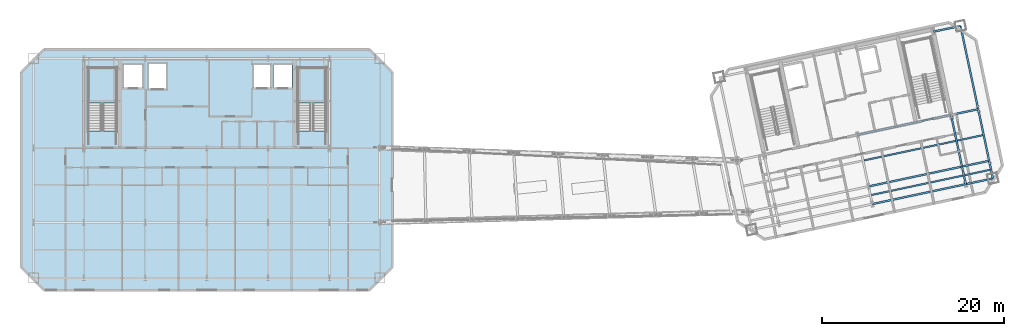
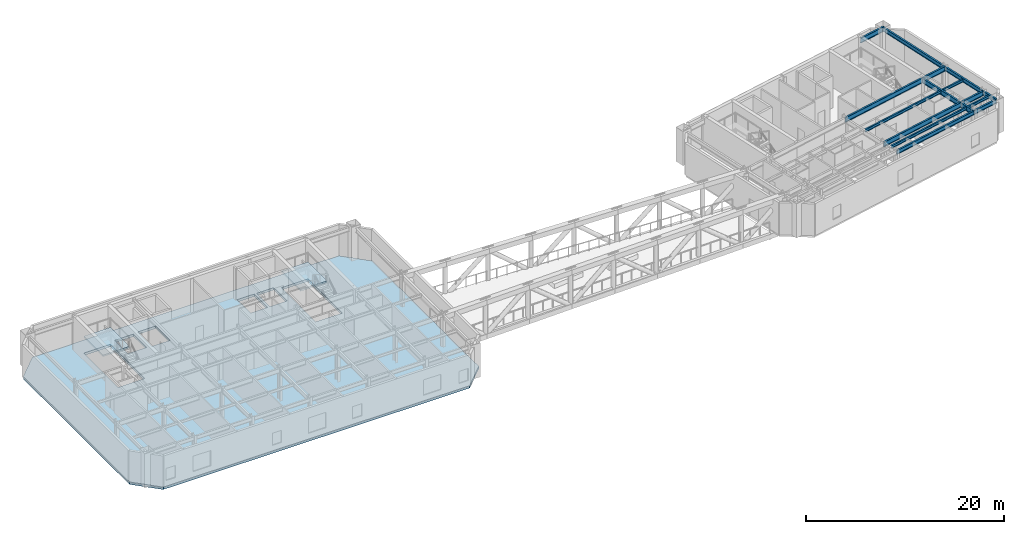
# One storey, part 5 of 14: 16 beams, 3 slabs, 2 elements without a shape of their own.
"""IFC4 building model written with IfcOpenShell, lengths in metres."""

from ifc_helpers import new_model, si_unit, direction, frame, origin, origin_2d, place, context, subcontext, project, spatial, polyline, i_section, outline, extrude, material, layer, layer_set, material_profile, profile_set, type_object, element, aggregate, save


model = new_model("IFC4")

# Units and contexts
model_context = context("Model", 3, precision=1e-05, world=origin(), true_north=direction((0.0, 1.0)))
body_context = subcontext(model_context, "Body", "Model", "MODEL_VIEW")
ifc_project = project(units=[si_unit("LENGTHUNIT", "METRE"), si_unit("AREAUNIT", "SQUARE_METRE"), si_unit("VOLUMEUNIT", "CUBIC_METRE"), si_unit("PLANEANGLEUNIT", "RADIAN"), si_unit("MASSUNIT", "GRAM", prefix="KILO")], contexts=[model_context])

# Site, building, storey
site_placement = place(None, origin())
site = spatial("IfcSite", under=ifc_project, at=site_placement, CompositionType="ELEMENT")
building_placement = place(site_placement, origin())
building = spatial("IfcBuilding", under=site, at=building_placement, Name="Haevon Station Towers", CompositionType="ELEMENT")
storey_placement = place(building_placement, frame((0.0, 0.0, 201.300048828125)))
storey = spatial("IfcBuildingStorey", under=building, at=storey_placement, Name="L55", CompositionType="ELEMENT", Elevation=201.300048828125)

# Beams
ifc_material_1 = material(Name="Steel S355", Category="steel")
ifc_material_profile_1 = material_profile(ifc_material_1, i_section(OverallWidth=0.199951171875, OverallDepth=0.60009765625, WebThickness=0.010986328125, FlangeThickness=0.01708984375, at=origin_2d()), Name="H-600x200x11x17")
ifc_profile_set_1 = profile_set([ifc_material_profile_1], Name="Steel S355")
beam_type_1 = type_object("IfcBeamType", Name="BM-G600", PredefinedType="BEAM", material=ifc_profile_set_1)
beam_1_placement = place(storey_placement, frame((110.228759765625, 33.9521484375, 3.64990234375), z_axis=(0.978146794194, 0.207915485254, 0.0), x_axis=(-0.207915485254, 0.978146794194, 0.0)))
element("IfcBeam", 1, at=beam_1_placement, inside=storey, type_object=beam_type_1, Name="BM-T2U-L55-02-03", PredefinedType="BEAM", context=body_context, shape_type="SweptSolid", body=[
    extrude(i_section(OverallWidth=0.199951171875, OverallDepth=0.60009765625, WebThickness=0.010986328125, FlangeThickness=0.01708984375, at=origin_2d()), origin(), (0.0, 0.0, 1.0), 10.5),
])
beam_2_placement = place(storey_placement, frame((120.499267578125, 36.13525390625, 3.64990234375), z_axis=(0.978138503145, 0.207954487003, 0.0), x_axis=(-0.207954487003, 0.978138503145, 0.0)))
element("IfcBeam", 2, at=beam_2_placement, inside=storey, type_object=beam_type_1, Name="BM-T2U-L55-02-04", PredefinedType="BEAM", context=body_context, shape_type="SweptSolid", body=[
    extrude(i_section(OverallWidth=0.199951171875, OverallDepth=0.60009765625, WebThickness=0.010986328125, FlangeThickness=0.01708984375, at=origin_2d()), origin(), (0.0, 0.0, 1.0), 3.050048828125),
])
beam_3_placement = place(storey_placement, frame((109.02294921875, 39.62548828125, 3.64990234375), z_axis=(0.978146794194, 0.207915485254, 0.0), x_axis=(-0.207915485254, 0.978146794194, 0.0)))
element("IfcBeam", 3, at=beam_3_placement, inside=storey, type_object=beam_type_1, Name="BM-T2U-L55-03-03", PredefinedType="BEAM", context=body_context, shape_type="SweptSolid", body=[
    extrude(i_section(OverallWidth=0.199951171875, OverallDepth=0.60009765625, WebThickness=0.010986328125, FlangeThickness=0.01708984375, at=origin_2d()), origin(), (0.0, 0.0, 1.0), 10.5),
])
for number, where, z_axis, x_axis, name in (
    (4, (119.29345703125, 41.80859375, 3.64990234375), (0.978154782045, 0.207877902534, 0.0), (-0.207877902534, 0.978154782045, 0.0), "BM-T2U-L55-03-04"),
    (5, (117.349365234375, 50.954345703125, 3.64990234375), (0.978154782045, 0.207877902534, 0.0), (-0.207877902534, 0.978154782045, 0.0), "BM-T2U-L55-04-04"),
):
    element("IfcBeam", number, at=place(storey_placement, frame(where, z_axis=z_axis, x_axis=x_axis)), inside=storey, type_object=beam_type_1, Name=name, PredefinedType="BEAM", context=body_context, shape_type="SweptSolid", body=[
        extrude(i_section(OverallWidth=0.199951171875, OverallDepth=0.60009765625, WebThickness=0.010986328125, FlangeThickness=0.01708984375, at=origin_2d()), origin(), (0.0, 0.0, 1.0), 3.050048828125),
    ])
beam_4_placement = place(storey_placement, frame((120.910888671875, 34.198486328125, 3.64990234375), z_axis=(-0.207886774674, 0.978152896492, 0.0), x_axis=(-0.978152896492, -0.207886774674, 0.0)))
element("IfcBeam", 6, at=beam_4_placement, inside=storey, type_object=beam_type_1, Name="BM-T2V-L55-04-01", PredefinedType="BEAM", context=body_context, shape_type="SweptSolid", body=[
    extrude(i_section(OverallWidth=0.199951171875, OverallDepth=0.60009765625, WebThickness=0.010986328125, FlangeThickness=0.01708984375, at=origin_2d()), origin(), (0.0, 0.0, 1.0), 1.97998046875),
])
beam_5_placement = place(storey_placement, frame((120.499267578125, 36.13525390625, 3.64990234375), z_axis=(-0.207896009217, 0.97815093383, 0.0), x_axis=(-0.97815093383, -0.207896009217, 0.0)))
element("IfcBeam", 7, at=beam_5_placement, inside=storey, type_object=beam_type_1, Name="BM-T2V-L55-04-02", PredefinedType="BEAM", context=body_context, shape_type="SweptSolid", body=[
    extrude(i_section(OverallWidth=0.199951171875, OverallDepth=0.60009765625, WebThickness=0.010986328125, FlangeThickness=0.01708984375, at=origin_2d()), origin(), (0.0, 0.0, 1.0), 5.800048828125),
])
ifc_material_profile_2 = material_profile(ifc_material_1, i_section(OverallWidth=0.175048828125, OverallDepth=0.35009765625, WebThickness=0.007080078125, FlangeThickness=0.010986328125, at=origin_2d()), Name="H-350x175x7x11")
ifc_profile_set_2 = profile_set([ifc_material_profile_2], Name="Steel S355")
beam_type_2 = type_object("IfcBeamType", Name="BM-J350", PredefinedType="JOIST", material=ifc_profile_set_2)
beam_6_placement = place(storey_placement, frame((110.542236328125, 33.0068359375, 3.77490234375), z_axis=(0.978150339653, 0.207898804801, 0.0), x_axis=(-0.207898804801, 0.978150339653, 0.0)))
element("IfcBeam", 8, at=beam_6_placement, inside=storey, type_object=beam_type_2, Name="BM-T2J-L55-01-03", PredefinedType="JOIST", context=body_context, shape_type="SweptSolid", body=[
    extrude(i_section(OverallWidth=0.175048828125, OverallDepth=0.35009765625, WebThickness=0.007080078125, FlangeThickness=0.010986328125, at=origin_2d()), origin(), (0.0, 0.0, 1.0), 10.280029296875),
])
beam_7_placement = place(storey_placement, frame((120.812744140625, 35.189697265625, 3.77490234375), z_axis=(0.9781470094, 0.207914472804, 0.0), x_axis=(-0.207914472804, 0.9781470094, 0.0)))
element("IfcBeam", 9, at=beam_7_placement, inside=storey, type_object=beam_type_2, Name="BM-T2J-L55-01-04", PredefinedType="JOIST", context=body_context, shape_type="SweptSolid", body=[
    extrude(i_section(OverallWidth=0.175048828125, OverallDepth=0.35009765625, WebThickness=0.007080078125, FlangeThickness=0.010986328125, at=origin_2d()), origin(), (0.0, 0.0, 1.0), 2.829833984375),
])
beam_8_placement = place(storey_placement, frame((109.7333984375, 36.811767578125, 3.77490234375), z_axis=(0.978150339653, 0.207898804801, 0.0), x_axis=(-0.207898804801, 0.978150339653, 0.0)))
element("IfcBeam", 10, at=beam_8_placement, inside=storey, type_object=beam_type_2, Name="BM-T2J-L55-02-03", PredefinedType="JOIST", context=body_context, shape_type="SweptSolid", body=[
    extrude(i_section(OverallWidth=0.175048828125, OverallDepth=0.35009765625, WebThickness=0.007080078125, FlangeThickness=0.010986328125, at=origin_2d()), origin(), (0.0, 0.0, 1.0), 10.280029296875),
])
beam_9_placement = place(storey_placement, frame((120.00390625, 38.994873046875, 3.77490234375), z_axis=(0.978150738312, 0.207896929124, 0.0), x_axis=(-0.207896929124, 0.978150738312, 0.0)))
element("IfcBeam", 11, at=beam_9_placement, inside=storey, type_object=beam_type_2, Name="BM-T2J-L55-02-04", PredefinedType="JOIST", context=body_context, shape_type="SweptSolid", body=[
    extrude(i_section(OverallWidth=0.175048828125, OverallDepth=0.35009765625, WebThickness=0.007080078125, FlangeThickness=0.010986328125, at=origin_2d()), origin(), (0.0, 0.0, 1.0), 2.830078125),
])
ifc_material_profile_3 = material_profile(ifc_material_1, i_section(OverallWidth=0.199951171875, OverallDepth=0.5, WebThickness=0.010009765625, FlangeThickness=0.01611328125, at=origin_2d()), Name="H-500x200x10x16")
ifc_profile_set_3 = profile_set([ifc_material_profile_3], Name="Steel S355")
beam_type_3 = type_object("IfcBeamType", Name="BM-SP500", PredefinedType="SPANDREL", material=ifc_profile_set_3)
beam_10_placement = place(storey_placement, frame((110.640380859375, 32.015380859375, 3.699951171875), z_axis=(0.978146794194, 0.207915485254, 0.0), x_axis=(-0.207915485254, 0.978146794194, 0.0)))
element("IfcBeam", 12, at=beam_10_placement, inside=storey, type_object=beam_type_3, Name="BM-T2U-L55-01-03", PredefinedType="SPANDREL", context=body_context, shape_type="SweptSolid", body=[
    extrude(i_section(OverallWidth=0.199951171875, OverallDepth=0.5, WebThickness=0.010009765625, FlangeThickness=0.01611328125, at=origin_2d()), origin(), (0.0, 0.0, 1.0), 10.5),
])
beam_11_placement = place(storey_placement, frame((120.910888671875, 34.198486328125, 3.699951171875), z_axis=(0.978138503145, 0.207954487003, 0.0), x_axis=(-0.207954487003, 0.978138503145, 0.0)))
element("IfcBeam", 13, at=beam_11_placement, inside=storey, type_object=beam_type_3, Name="BM-T2U-L55-01-04", PredefinedType="SPANDREL", context=body_context, shape_type="SweptSolid", body=[
    extrude(i_section(OverallWidth=0.199951171875, OverallDepth=0.5, WebThickness=0.010009765625, FlangeThickness=0.01611328125, at=origin_2d()), origin(), (0.0, 0.0, 1.0), 3.050048828125),
])
beam_12_placement = place(storey_placement, frame((123.894287109375, 34.832763671875, 3.699951171875), z_axis=(-0.207886774674, 0.978152896492, 0.0), x_axis=(-0.978152896492, -0.207886774674, 0.0)))
element("IfcBeam", 14, at=beam_12_placement, inside=storey, type_object=beam_type_3, Name="BM-T2V-L55-05-01", PredefinedType="SPANDREL", context=body_context, shape_type="SweptSolid", body=[
    extrude(i_section(OverallWidth=0.199951171875, OverallDepth=0.5, WebThickness=0.010009765625, FlangeThickness=0.01611328125, at=origin_2d()), origin(), (0.0, 0.0, 1.0), 1.97998046875),
])
beam_13_placement = place(storey_placement, frame((123.482666015625, 36.76953125, 3.699951171875), z_axis=(-0.207904569273, 0.978149114438, 0.0), x_axis=(-0.978149114438, -0.207904569273, 0.0)))
element("IfcBeam", 15, at=beam_13_placement, inside=storey, type_object=beam_type_3, Name="BM-T2V-L55-05-02", PredefinedType="SPANDREL", context=body_context, shape_type="SweptSolid", body=[
    extrude(i_section(OverallWidth=0.199951171875, OverallDepth=0.5, WebThickness=0.010009765625, FlangeThickness=0.01611328125, at=origin_2d()), origin(), (0.0, 0.0, 1.0), 5.7998046875),
])
beam_14_placement = place(storey_placement, frame((122.27685546875, 42.442626953125, 3.699951171875), z_axis=(-0.207922149488, 0.978145377616, 0.0), x_axis=(-0.978145377616, -0.207922149488, 0.0)))
element("IfcBeam", 16, at=beam_14_placement, inside=storey, type_object=beam_type_3, Name="BM-T2V-L55-05-03", PredefinedType="SPANDREL", context=body_context, shape_type="SweptSolid", body=[
    extrude(i_section(OverallWidth=0.199951171875, OverallDepth=0.5, WebThickness=0.010009765625, FlangeThickness=0.01611328125, at=origin_2d()), origin(), (0.0, 0.0, 1.0), 9.35009765625),
])

# Stair, slab
ifc_material_2 = material(Name="Concrete C40/50", Category="concrete")
stair_type = type_object("IfcStairType", Name="STR-DL1450", PredefinedType="USERDEFINED", material=ifc_material_2)
stair_1_placement = place(storey_placement, origin())
stair_1 = element("IfcStair", 17, at=stair_1_placement, inside=storey, type_object=stair_type, Name="L55 Escape Stair ST1", ObjectType="TWO_RETURN_STAIR", PredefinedType="USERDEFINED")
ifc_layer_1 = layer(ifc_material_2, 0.199951171875)
ifc_layer_set_1 = layer_set([ifc_layer_1], Name="Concrete C40/50")
slab_type_1 = type_object("IfcSlabType", Name="SL-LND200", PredefinedType="LANDING", material=ifc_layer_set_1)
slab_1_placement = place(storey_placement, frame((0.0, 0.0, 1.89990234375)))
slab_1 = element("IfcSlab", 18, at=slab_1_placement, type_object=slab_type_1, Name="L55 ST1 Half Landing 1", PredefinedType="LANDING", context=body_context, shape_type="SweptSolid", body=[
    extrude(outline(polyline([(27.580078125, 43.1240234375), (27.580078125, 47.0), (24.47998046875, 47.0), (24.47998046875, 43.1240234375), (27.580078125, 43.1240234375)])), origin(), (0.0, 0.0, 1.0), 0.199951171875),
])
aggregate(stair_1, [slab_1])

stair_2_placement = place(storey_placement, origin())
stair_2 = element("IfcStair", 19, at=stair_2_placement, inside=storey, type_object=stair_type, Name="L55 Escape Stair ST2", ObjectType="TWO_RETURN_STAIR", PredefinedType="USERDEFINED")
slab_2_placement = place(storey_placement, frame((0.0, 0.0, 1.89990234375)))
slab_2 = element("IfcSlab", 20, at=slab_2_placement, type_object=slab_type_1, Name="L55 ST2 Half Landing 1", PredefinedType="LANDING", context=body_context, shape_type="SweptSolid", body=[
    extrude(outline(polyline([(50.6201171875, 43.1240234375), (50.6201171875, 47.0), (47.52001953125, 47.0), (47.52001953125, 43.1240234375), (50.6201171875, 43.1240234375)])), origin(), (0.0, 0.0, 1.0), 0.199951171875),
])
aggregate(stair_2, [slab_2])

# Slab
ifc_layer_2 = layer(ifc_material_2, 0.300048828125)
ifc_layer_set_2 = layer_set([ifc_layer_2], Name="Concrete C40/50")
slab_type_2 = type_object("IfcSlabType", Name="SL-POD300", PredefinedType="FLOOR", material=ifc_layer_set_2)
slab_3_placement = place(storey_placement, frame((0.0, 0.0, -0.300048828125)))
element("IfcSlab", 21, at=slab_3_placement, inside=storey, type_object=slab_type_2, Name="SL-T1-L55", PredefinedType="FLOOR", context=body_context, shape_type="SweptSolid", body=[
    extrude(outline(polyline([(19.625, 22.550048828125), (55.375, 22.550048828125), (57.875, 25.050048828125), (57.875, 46.5), (55.375, 49.0), (19.625, 49.0), (17.125, 46.5), (17.125, 25.050048828125), (19.625, 22.550048828125)]), holes=[polyline([(27.580078125, 40.055908203125), (27.580078125, 47.0), (24.47998046875, 47.0), (24.47998046875, 40.055908203125), (27.580078125, 40.055908203125)]), polyline([(50.6201171875, 40.055908203125), (50.6201171875, 47.0), (47.52001953125, 47.0), (47.52001953125, 40.055908203125), (50.6201171875, 40.055908203125)]), polyline([(28.300048828125, 44.699951171875), (30.5, 44.699951171875), (30.5, 47.39990234375), (28.300048828125, 47.39990234375), (28.300048828125, 44.699951171875)]), polyline([(31.050048828125, 44.60009765625), (33.14990234375, 44.60009765625), (33.14990234375, 47.5), (31.050048828125, 47.5), (31.050048828125, 44.60009765625)]), polyline([(42.60009765625, 44.699951171875), (44.60009765625, 44.699951171875), (44.60009765625, 47.39990234375), (42.60009765625, 47.39990234375), (42.60009765625, 44.699951171875)]), polyline([(44.85009765625, 44.699951171875), (46.85009765625, 44.699951171875), (46.85009765625, 47.39990234375), (44.85009765625, 47.39990234375), (44.85009765625, 44.699951171875)])]), origin(), (0.0, 0.0, 1.0), 0.300048828125),
])

save(model, "model.ifc")
